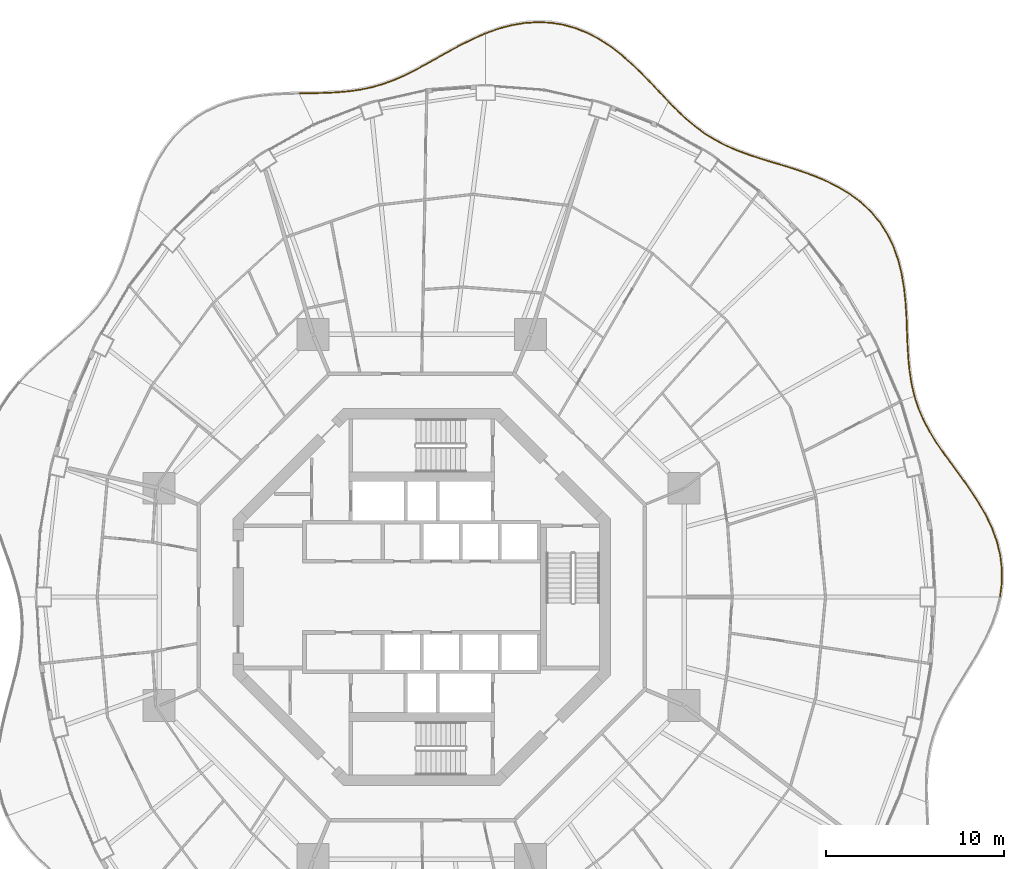
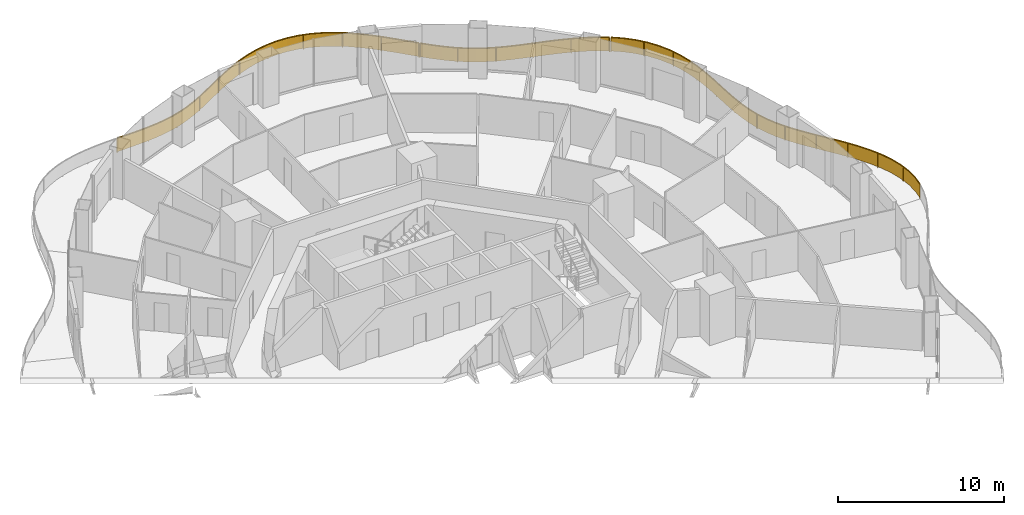
# One storey, part 19 of 19: 5 railings.
"""IFC4 building model written with IfcOpenShell, lengths in metres."""

from ifc_helpers import new_model, si_unit, direction, frame, origin, origin_2d, place, context, subcontext, project, spatial, polyline, rectangle, outline, extrude, material, type_object, element, save


model = new_model("IFC4")

# Units and contexts
model_context = context("Model", 3, precision=1e-05, world=origin(), true_north=direction((0.0, 1.0)))
body_context = subcontext(model_context, "Body", "Model", "MODEL_VIEW")
ifc_project = project(units=[si_unit("LENGTHUNIT", "METRE"), si_unit("AREAUNIT", "SQUARE_METRE"), si_unit("VOLUMEUNIT", "CUBIC_METRE"), si_unit("PLANEANGLEUNIT", "RADIAN"), si_unit("MASSUNIT", "GRAM", prefix="KILO")], contexts=[model_context])

# Site, building, storey
site_placement = place(None, origin())
site = spatial("IfcSite", under=ifc_project, at=site_placement, CompositionType="ELEMENT")
building_placement = place(site_placement, origin())
building = spatial("IfcBuilding", under=site, at=building_placement, Name="Nagisa Residences", CompositionType="ELEMENT")
storey_placement = place(building_placement, frame((0.0, 0.0, 184.39990234375)))
storey = spatial("IfcBuildingStorey", under=building, at=storey_placement, Name="L46", CompositionType="ELEMENT", Elevation=184.39990234375)

# Railings
ifc_material = material(Name="Stainless steel 316", Category="steel")
railing_type = type_object("IfcRailingType", Name="BALCONY GUARD 1100", PredefinedType="BALUSTRADE", material=ifc_material)
railing_1_placement = place(storey_placement, frame((32.569580078125, 0.038330078125, 0.0)))
element("IfcRailing", 1, at=railing_1_placement, inside=storey, type_object=railing_type, Name="guard:L46:bal00-0", PredefinedType="BALUSTRADE", context=body_context, shape_type="SweptSolid", body=[
    extrude(outline(polyline([(0.071533203125, 0.742919921875), (-0.02490234375, 0.003173828125), (0.02490234375, -0.003173828125), (0.121337890625, 0.739501953125), (0.126220703125, 1.5302734375), (0.0322265625, 2.31591796875), (-0.156982421875, 3.091796875), (-0.433837890625, 3.8525390625), (-0.78515625, 4.5810546875), (-1.198974609375, 5.302734375), (-1.656005859375, 6.003173828125), (-2.137939453125, 6.683837890625), (-2.625, 7.347900390625), (-3.095947265625, 7.986083984375), (-3.540283203125, 8.63134765625), (-3.94091796875, 9.27685546875), (-4.2880859375, 9.92919921875), (-4.5751953125, 10.595458984375), (-4.7880859375, 11.242919921875), (-4.83544921875, 11.227294921875), (-4.6220703125, 10.577880859375), (-4.3330078125, 9.90771484375), (-3.984375, 9.251953125), (-3.582275390625, 8.60400390625), (-3.136474609375, 7.956787109375), (-2.66552734375, 7.318115234375), (-2.178466796875, 6.654541015625), (-1.697509765625, 5.974853515625), (-1.241455078125, 5.2763671875), (-0.82958984375, 4.5576171875), (-0.480224609375, 3.8330078125), (-0.204833984375, 3.0771484375), (-0.01708984375, 2.30712890625), (0.075927734375, 1.52734375), (0.071533203125, 0.742919921875)])), frame((0.0, 0.0, 1.050048828125)), (0.0, 0.0, 1.0), 0.050048828125),
    extrude(outline(polyline([(0.08935546875, 0.74169921875), (-0.0068359375, 0.0009765625), (0.0068359375, -0.0009765625), (0.103515625, 0.74072265625), (0.108154296875, 1.529296875), (0.014404296875, 2.312744140625), (-0.17431640625, 3.08642578125), (-0.45068359375, 3.845458984375), (-0.80126953125, 4.572509765625), (-1.21435546875, 5.293212890625), (-1.6708984375, 5.992919921875), (-2.152587890625, 6.67333984375), (-2.6396484375, 7.337158203125), (-3.110595703125, 7.9755859375), (-3.555419921875, 8.62158203125), (-3.95654296875, 9.267822265625), (-4.30419921875, 9.92138671875), (-4.592041015625, 10.589111328125), (-4.80517578125, 11.2373046875), (-4.818359375, 11.23291015625), (-4.605224609375, 10.584228515625), (-4.31689453125, 9.91552734375), (-3.96875, 9.260986328125), (-3.567138671875, 8.61376953125), (-3.121826171875, 7.96728515625), (-2.65087890625, 7.328857421875), (-2.163818359375, 6.6650390625), (-1.6826171875, 5.985107421875), (-1.22607421875, 5.285888671875), (-0.8134765625, 4.566162109375), (-0.46337890625, 3.840087890625), (-0.1875, 3.08251953125), (0.000732421875, 2.310302734375), (0.093994140625, 1.5283203125), (0.08935546875, 0.74169921875)])), frame((0.0, 0.0, 0.06005859375)), (0.0, 0.0, 1.0), 0.989990234375),
    extrude(rectangle(XDim=0.0400390625, YDim=0.0400390625, at=origin_2d()), origin(), (0.0, 0.0, 1.0), 1.050048828125),
    extrude(rectangle(XDim=0.0400390625, YDim=0.0400390625, at=origin_2d()), frame((0.03515625, 2.08056640625, 0.0)), (0.0, 0.0, 1.0), 1.050048828125),
    extrude(rectangle(XDim=0.0400390625, YDim=0.0400390625, at=origin_2d()), frame((-0.568115234375, 4.072998046875, 0.0)), (0.0, 0.0, 1.0), 1.050048828125),
    extrude(rectangle(XDim=0.0400390625, YDim=0.0400390625, at=origin_2d()), frame((-1.608154296875, 5.8837890625, 0.0)), (0.0, 0.0, 1.0), 1.050048828125),
    extrude(rectangle(XDim=0.0400390625, YDim=0.0400390625, at=origin_2d()), frame((-2.828369140625, 7.581298828125, 0.0)), (0.0, 0.0, 1.0), 1.050048828125),
    extrude(rectangle(XDim=0.0400390625, YDim=0.0400390625, at=origin_2d()), frame((-3.990966796875, 9.317626953125, 0.0)), (0.0, 0.0, 1.0), 1.050048828125),
    extrude(rectangle(XDim=0.0400390625, YDim=0.0400390625, at=origin_2d()), frame((-4.811767578125, 11.235107421875, 0.0)), (0.0, 0.0, 1.0), 1.050048828125),
])
railing_2_placement = place(storey_placement, frame((27.739990234375, 11.340087890625, 0.0)))
element("IfcRailing", 2, at=railing_2_placement, inside=storey, type_object=railing_type, Name="guard:L46:bal01-0", PredefinedType="BALUSTRADE", context=body_context, shape_type="SweptSolid", body=[
    extrude(outline(polyline([(-0.17724609375, 0.64453125), (-0.0244140625, -0.005615234375), (0.0244140625, 0.005615234375), (-0.1279296875, 0.654296875), (-0.240478515625, 1.367919921875), (-0.313232421875, 2.10791015625), (-0.3583984375, 2.873291015625), (-0.390380859375, 3.66015625), (-0.41796875, 4.449951171875), (-0.470947265625, 5.26171875), (-0.5576171875, 6.07275390625), (-0.693359375, 6.873291015625), (-0.88916015625, 7.65283203125), (-1.14697265625, 8.389404296875), (-1.487548828125, 9.095458984375), (-1.907470703125, 9.75244140625), (-2.404541015625, 10.353271484375), (-2.97412109375, 10.89306640625), (-3.5712890625, 11.341552734375), (-3.6015625, 11.301513671875), (-3.00634765625, 10.85498046875), (-2.441162109375, 10.319091796875), (-1.947998046875, 9.72314453125), (-1.531494140625, 9.071044921875), (-1.193359375, 8.370361328125), (-0.93701171875, 7.638671875), (-0.7421875, 6.863037109375), (-0.607421875, 6.06591796875), (-0.520751953125, 5.25732421875), (-0.4677734375, 4.447509765625), (-0.440185546875, 3.658203125), (-0.408203125, 2.870849609375), (-0.363037109375, 2.10400390625), (-0.290283203125, 1.361572265625), (-0.17724609375, 0.64453125)])), frame((0.0, 0.0, 1.050048828125)), (0.0, 0.0, 1.0), 0.050048828125),
    extrude(outline(polyline([(-0.159423828125, 0.64794921875), (-0.0068359375, -0.001708984375), (0.0068359375, 0.001708984375), (-0.145751953125, 0.65087890625), (-0.258544921875, 1.36572265625), (-0.3310546875, 2.1064453125), (-0.376220703125, 2.872314453125), (-0.408203125, 3.659423828125), (-0.435791015625, 4.448974609375), (-0.48876953125, 5.260009765625), (-0.57568359375, 6.0703125), (-0.7109375, 6.86962890625), (-0.906494140625, 7.647705078125), (-1.16357421875, 8.382568359375), (-1.50341796875, 9.086669921875), (-1.922119140625, 9.741943359375), (-2.417724609375, 10.341064453125), (-2.985595703125, 10.87939453125), (-3.582275390625, 11.3271484375), (-3.590576171875, 11.31591796875), (-2.994873046875, 10.86865234375), (-2.427978515625, 10.331298828125), (-1.933349609375, 9.733642578125), (-1.515625, 9.079833984375), (-1.1767578125, 8.377197265625), (-0.919677734375, 7.643798828125), (-0.724609375, 6.86669921875), (-0.58935546875, 6.068359375), (-0.5029296875, 5.259033203125), (-0.449951171875, 4.448486328125), (-0.42236328125, 3.658935546875), (-0.390380859375, 2.871826171875), (-0.34521484375, 2.10546875), (-0.272216796875, 1.36376953125), (-0.159423828125, 0.64794921875)])), frame((0.0, 0.0, 0.06005859375)), (0.0, 0.0, 1.0), 0.989990234375),
    extrude(rectangle(XDim=0.0400390625, YDim=0.0400390625, at=origin_2d()), origin(), (0.0, 0.0, 1.0), 1.050048828125),
    extrude(rectangle(XDim=0.0400390625, YDim=0.0400390625, at=origin_2d()), frame((-0.330810546875, 2.0302734375, 0.0)), (0.0, 0.0, 1.0), 1.050048828125),
    extrude(rectangle(XDim=0.0400390625, YDim=0.0400390625, at=origin_2d()), frame((-0.43017578125, 4.087646484375, 0.0)), (0.0, 0.0, 1.0), 1.050048828125),
    extrude(rectangle(XDim=0.0400390625, YDim=0.0400390625, at=origin_2d()), frame((-0.594482421875, 6.139892578125, 0.0)), (0.0, 0.0, 1.0), 1.050048828125),
    extrude(rectangle(XDim=0.0400390625, YDim=0.0400390625, at=origin_2d()), frame((-1.084716796875, 8.13623046875, 0.0)), (0.0, 0.0, 1.0), 1.050048828125),
    extrude(rectangle(XDim=0.0400390625, YDim=0.0400390625, at=origin_2d()), frame((-2.083251953125, 9.92578125, 0.0)), (0.0, 0.0, 1.0), 1.050048828125),
    extrude(rectangle(XDim=0.0400390625, YDim=0.0400390625, at=origin_2d()), frame((-3.58642578125, 11.321533203125, 0.0)), (0.0, 0.0, 1.0), 1.050048828125),
])
railing_3_placement = place(storey_placement, frame((24.089111328125, 22.70458984375, 0.0)))
element("IfcRailing", 3, at=railing_3_placement, inside=storey, type_object=railing_type, Name="guard:L46:bal02-0", PredefinedType="BALUSTRADE", context=body_context, shape_type="SweptSolid", body=[
    extrude(outline(polyline([(-0.626953125, 0.350341796875), (-0.012939453125, -0.021484375), (0.012939453125, 0.021484375), (-0.6025390625, 0.394287109375), (-1.296875, 0.742431640625), (-2.018310546875, 1.045654296875), (-2.755126953125, 1.31201171875), (-3.495849609375, 1.551513671875), (-4.21728515625, 1.7646484375), (-4.9345703125, 1.984375), (-5.62841796875, 2.21142578125), (-6.29345703125, 2.456787109375), (-6.927001953125, 2.730712890625), (-7.514892578125, 3.031494140625), (-8.0869140625, 3.38330078125), (-8.634033203125, 3.77978515625), (-9.161865234375, 4.220703125), (-9.677734375, 4.702880859375), (-10.156982421875, 5.18994140625), (-10.192626953125, 5.15478515625), (-9.712890625, 4.667236328125), (-9.195068359375, 4.18310546875), (-8.664794921875, 3.740234375), (-8.11474609375, 3.341796875), (-7.539306640625, 2.988037109375), (-6.948486328125, 2.685302734375), (-6.31201171875, 2.410400390625), (-5.64501953125, 2.1640625), (-4.94970703125, 1.9365234375), (-4.23193359375, 1.716796875), (-3.510498046875, 1.503662109375), (-2.771240234375, 1.2646484375), (-2.036376953125, 0.998779296875), (-1.31787109375, 0.697021484375), (-0.626953125, 0.350341796875)])), frame((0.0, 0.0, 1.050048828125)), (0.0, 0.0, 1.0), 0.050048828125),
    extrude(outline(polyline([(-0.6181640625, 0.3662109375), (-0.003662109375, -0.006103515625), (0.003662109375, 0.006103515625), (-0.611328125, 0.37841796875), (-1.304443359375, 0.72607421875), (-2.02490234375, 1.02880859375), (-2.760986328125, 1.294921875), (-3.501220703125, 1.5341796875), (-4.22265625, 1.747314453125), (-4.93994140625, 1.967041015625), (-5.634521484375, 2.1943359375), (-6.300048828125, 2.440185546875), (-6.934814453125, 2.71435546875), (-7.523681640625, 3.015869140625), (-8.096923828125, 3.368408203125), (-8.64501953125, 3.765625), (-9.173828125, 4.20703125), (-9.6904296875, 4.690185546875), (-10.169921875, 5.17724609375), (-10.1796875, 5.16748046875), (-9.7001953125, 4.679931640625), (-9.18310546875, 4.19677734375), (-8.65380859375, 3.75439453125), (-8.104736328125, 3.356689453125), (-7.530517578125, 3.003662109375), (-6.940673828125, 2.70166015625), (-6.305419921875, 2.427001953125), (-5.638916015625, 2.18115234375), (-4.9443359375, 1.953857421875), (-4.2265625, 1.734130859375), (-3.505126953125, 1.52099609375), (-2.765380859375, 1.28173828125), (-2.02978515625, 1.015625), (-1.310302734375, 0.71337890625), (-0.6181640625, 0.3662109375)])), frame((0.0, 0.0, 0.06005859375)), (0.0, 0.0, 1.0), 0.989990234375),
    extrude(rectangle(XDim=0.0400390625, YDim=0.0400390625, at=origin_2d()), origin(), (0.0, 0.0, 1.0), 1.050048828125),
    extrude(rectangle(XDim=0.0400390625, YDim=0.0400390625, at=origin_2d()), frame((-2.063232421875, 1.03515625, 0.0)), (0.0, 0.0, 1.0), 1.050048828125),
    extrude(rectangle(XDim=0.0400390625, YDim=0.0400390625, at=origin_2d()), frame((-4.26123046875, 1.751953125, 0.0)), (0.0, 0.0, 1.0), 1.050048828125),
    extrude(rectangle(XDim=0.0400390625, YDim=0.0400390625, at=origin_2d()), frame((-6.449462890625, 2.4970703125, 0.0)), (0.0, 0.0, 1.0), 1.050048828125),
    extrude(rectangle(XDim=0.0400390625, YDim=0.0400390625, at=origin_2d()), frame((-8.46142578125, 3.623779296875, 0.0)), (0.0, 0.0, 1.0), 1.050048828125),
    extrude(rectangle(XDim=0.0400390625, YDim=0.0400390625, at=origin_2d()), frame((-10.1748046875, 5.17236328125, 0.0)), (0.0, 0.0, 1.0), 1.050048828125),
])
railing_4_placement = place(storey_placement, frame((13.864013671875, 27.931640625, 0.0)))
element("IfcRailing", 4, at=railing_4_placement, inside=storey, type_object=railing_type, Name="guard:L46:bal03-0", PredefinedType="BALUSTRADE", context=body_context, shape_type="SweptSolid", body=[
    extrude(outline(polyline([(-0.483154296875, 0.4755859375), (-0.018310546875, -0.01708984375), (0.018310546875, 0.01708984375), (-0.446533203125, 0.509765625), (-0.955322265625, 1.04736328125), (-1.481689453125, 1.5869140625), (-2.031005859375, 2.115234375), (-2.60693359375, 2.6181640625), (-3.1953125, 3.077880859375), (-3.83056640625, 3.491455078125), (-4.494384765625, 3.84228515625), (-5.18408203125, 4.12109375), (-5.895751953125, 4.320556640625), (-6.6083984375, 4.434326171875), (-7.344970703125, 4.4658203125), (-8.087890625, 4.414794921875), (-8.82861328125, 4.286376953125), (-9.561767578125, 4.08837890625), (-10.236328125, 3.84423828125), (-10.21923828125, 3.79736328125), (-9.546630859375, 4.04052734375), (-8.81787109375, 4.237548828125), (-8.08203125, 4.364990234375), (-7.344482421875, 4.41552734375), (-6.61328125, 4.384521484375), (-5.906494140625, 4.271728515625), (-5.2001953125, 4.07373046875), (-4.515380859375, 3.796875), (-3.85595703125, 3.448486328125), (-3.224609375, 3.037353515625), (-2.638671875, 2.57958984375), (-2.064697265625, 2.078125), (-1.516845703125, 1.55126953125), (-0.991455078125, 1.0126953125), (-0.483154296875, 0.4755859375)])), frame((0.0, 0.0, 1.050048828125)), (0.0, 0.0, 1.0), 0.050048828125),
    extrude(outline(polyline([(-0.469970703125, 0.48779296875), (-0.005126953125, -0.0048828125), (0.005126953125, 0.0048828125), (-0.459716796875, 0.49755859375), (-0.96826171875, 1.034912109375), (-1.494384765625, 1.573974609375), (-2.043212890625, 2.101806640625), (-2.618408203125, 2.604248046875), (-3.205810546875, 3.063232421875), (-3.839599609375, 3.47607421875), (-4.501953125, 3.825927734375), (-5.18994140625, 4.10400390625), (-5.899658203125, 4.302978515625), (-6.610107421875, 4.41650390625), (-7.3447265625, 4.44775390625), (-8.085693359375, 4.39697265625), (-8.82470703125, 4.268798828125), (-9.556396484375, 4.071044921875), (-10.230224609375, 3.827392578125), (-10.225341796875, 3.814208984375), (-9.552001953125, 4.057861328125), (-8.82177734375, 4.255126953125), (-8.084228515625, 4.3828125), (-7.3447265625, 4.43359375), (-6.611572265625, 4.40234375), (-5.902587890625, 4.289306640625), (-5.1943359375, 4.0908203125), (-4.5078125, 3.813232421875), (-3.846923828125, 3.4638671875), (-3.214111328125, 3.052001953125), (-2.627197265625, 2.593505859375), (-2.052490234375, 2.091552734375), (-1.504150390625, 1.564208984375), (-0.978515625, 1.025146484375), (-0.469970703125, 0.48779296875)])), frame((0.0, 0.0, 0.06005859375)), (0.0, 0.0, 1.0), 0.989990234375),
    extrude(rectangle(XDim=0.0400390625, YDim=0.0400390625, at=origin_2d()), origin(), (0.0, 0.0, 1.0), 1.050048828125),
    extrude(rectangle(XDim=0.0400390625, YDim=0.0400390625, at=origin_2d()), frame((-1.6416015625, 1.7060546875, 0.0)), (0.0, 0.0, 1.0), 1.050048828125),
    extrude(rectangle(XDim=0.0400390625, YDim=0.0400390625, at=origin_2d()), frame((-3.4580078125, 3.218994140625, 0.0)), (0.0, 0.0, 1.0), 1.050048828125),
    extrude(rectangle(XDim=0.0400390625, YDim=0.0400390625, at=origin_2d()), frame((-5.594970703125, 4.21044921875, 0.0)), (0.0, 0.0, 1.0), 1.050048828125),
    extrude(rectangle(XDim=0.0400390625, YDim=0.0400390625, at=origin_2d()), frame((-7.940185546875, 4.39990234375, 0.0)), (0.0, 0.0, 1.0), 1.050048828125),
    extrude(rectangle(XDim=0.0400390625, YDim=0.0400390625, at=origin_2d()), frame((-10.227783203125, 3.82080078125, 0.0)), (0.0, 0.0, 1.0), 1.050048828125),
])
railing_5_placement = place(storey_placement, frame((3.564697265625, 31.72314453125, 0.0)))
element("IfcRailing", 5, at=railing_5_placement, inside=storey, type_object=railing_type, Name="guard:L46:bal04-0", PredefinedType="BALUSTRADE", context=body_context, shape_type="SweptSolid", body=[
    extrude(outline(polyline([(-0.648193359375, -0.310791015625), (0.010009765625, -0.02294921875), (-0.010009765625, 0.02294921875), (-0.669189453125, -0.265380859375), (-1.355224609375, -0.60400390625), (-2.02197265625, -0.962158203125), (-2.6708984375, -1.325927734375), (-3.303955078125, -1.681640625), (-3.907470703125, -2.014892578125), (-4.520751953125, -2.320556640625), (-5.13232421875, -2.58837890625), (-5.747314453125, -2.81298828125), (-6.371337890625, -2.99267578125), (-6.9921875, -3.123046875), (-7.64794921875, -3.217529296875), (-8.323974609375, -3.277587890625), (-9.021484375, -3.311767578125), (-9.739501953125, -3.330078125), (-10.4296875, -3.341064453125), (-10.4287109375, -3.390869140625), (-9.738525390625, -3.3798828125), (-9.01953125, -3.361572265625), (-8.320556640625, -3.327392578125), (-7.64208984375, -3.267333984375), (-6.9833984375, -3.17236328125), (-6.359130859375, -3.04150390625), (-5.731689453125, -2.86083984375), (-5.11376953125, -2.634765625), (-4.499755859375, -2.365966796875), (-3.884033203125, -2.059326171875), (-3.279541015625, -1.7255859375), (-2.646484375, -1.369384765625), (-1.998046875, -1.006103515625), (-1.332275390625, -0.6484375), (-0.648193359375, -0.310791015625)])), frame((0.0, 0.0, 1.050048828125)), (0.0, 0.0, 1.0), 0.050048828125),
    extrude(outline(polyline([(-0.65576171875, -0.29443359375), (0.002685546875, -0.00634765625), (-0.002685546875, 0.00634765625), (-0.66162109375, -0.28173828125), (-1.346923828125, -0.6201171875), (-2.013427734375, -0.97802734375), (-2.662109375, -1.341552734375), (-3.295166015625, -1.697509765625), (-3.89892578125, -2.031005859375), (-4.51318359375, -2.3369140625), (-5.125732421875, -2.60498046875), (-5.74169921875, -2.830322265625), (-6.366943359375, -3.01025390625), (-6.989013671875, -3.140869140625), (-7.645751953125, -3.235595703125), (-8.32275390625, -3.29541015625), (-9.020751953125, -3.32958984375), (-9.7392578125, -3.347900390625), (-10.42919921875, -3.35888671875), (-10.42919921875, -3.373046875), (-9.73876953125, -3.362060546875), (-9.020263671875, -3.34375), (-8.32177734375, -3.3095703125), (-7.644287109375, -3.249267578125), (-6.986572265625, -3.154541015625), (-6.363525390625, -3.02392578125), (-5.7373046875, -2.843505859375), (-5.120361328125, -2.6181640625), (-4.50732421875, -2.349609375), (-3.892578125, -2.043212890625), (-3.288330078125, -1.709716796875), (-2.6552734375, -1.353759765625), (-2.006591796875, -0.990234375), (-1.340576171875, -0.63232421875), (-0.65576171875, -0.29443359375)])), frame((0.0, 0.0, 0.06005859375)), (0.0, 0.0, 1.0), 0.989990234375),
    extrude(rectangle(XDim=0.0400390625, YDim=0.0400390625, at=origin_2d()), origin(), (0.0, 0.0, 1.0), 1.050048828125),
    extrude(rectangle(XDim=0.0400390625, YDim=0.0400390625, at=origin_2d()), frame((-2.001953125, -0.979736328125, 0.0)), (0.0, 0.0, 1.0), 1.050048828125),
    extrude(rectangle(XDim=0.0400390625, YDim=0.0400390625, at=origin_2d()), frame((-3.950439453125, -2.064208984375, 0.0)), (0.0, 0.0, 1.0), 1.050048828125),
    extrude(rectangle(XDim=0.0400390625, YDim=0.0400390625, at=origin_2d()), frame((-6.0078125, -2.9140625, 0.0)), (0.0, 0.0, 1.0), 1.050048828125),
    extrude(rectangle(XDim=0.0400390625, YDim=0.0400390625, at=origin_2d()), frame((-8.20068359375, -3.291748046875, 0.0)), (0.0, 0.0, 1.0), 1.050048828125),
    extrude(rectangle(XDim=0.0400390625, YDim=0.0400390625, at=origin_2d()), frame((-10.42919921875, -3.365966796875, 0.0)), (0.0, 0.0, 1.0), 1.050048828125),
])

save(model, "model.ifc")
